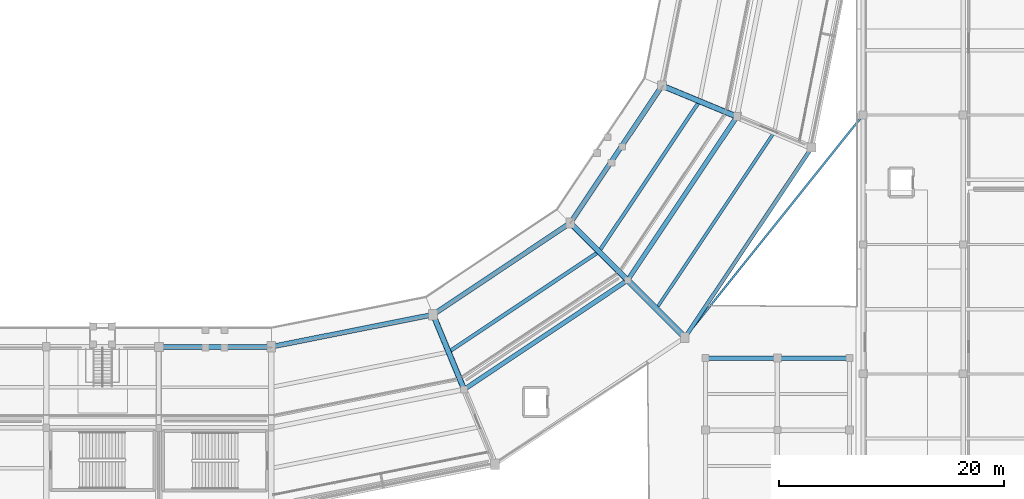
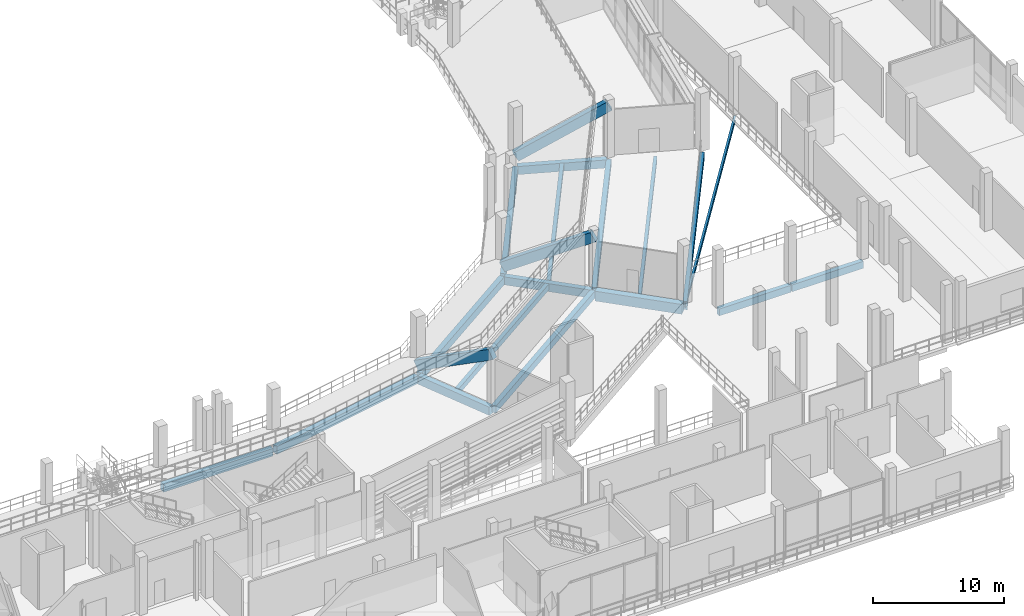
# One storey, part 37 of 127: 20 beams.
"""IFC4 building model written with IfcOpenShell, lengths in metres."""

from ifc_helpers import new_model, si_unit, direction, frame, origin, origin_2d, place, context, subcontext, project, spatial, rectangle, i_section, extrude, material, material_profile, profile_set, type_object, element, save


model = new_model("IFC4")

# Units and contexts
model_context = context("Model", 3, precision=1e-05, world=origin(), true_north=direction((0.0, 1.0)))
body_context = subcontext(model_context, "Body", "Model", "MODEL_VIEW")
ifc_project = project(units=[si_unit("LENGTHUNIT", "METRE"), si_unit("AREAUNIT", "SQUARE_METRE"), si_unit("VOLUMEUNIT", "CUBIC_METRE"), si_unit("PLANEANGLEUNIT", "RADIAN"), si_unit("MASSUNIT", "GRAM", prefix="KILO")], contexts=[model_context])

# Site, building, storey
site_placement = place(None, origin())
site = spatial("IfcSite", under=ifc_project, at=site_placement, CompositionType="ELEMENT")
building_placement = place(site_placement, origin())
building = spatial("IfcBuilding", under=site, at=building_placement, Name="Candeia Ridge Stadium", CompositionType="ELEMENT")
storey_placement = place(building_placement, frame((0.0, 0.0, 10.800048828125)))
storey = spatial("IfcBuildingStorey", under=building, at=storey_placement, Name="L02", CompositionType="ELEMENT", Elevation=10.800048828125)

# Beams
ifc_material_1 = material(Name="Concrete C45/55", Category="concrete")
ifc_material_profile_1 = material_profile(ifc_material_1, rectangle(XDim=0.449951171875, YDim=0.75, at=origin_2d()), Name="RC450x750", Category="concrete")
ifc_profile_set_1 = profile_set([ifc_material_profile_1], Name="Concrete C45/55")
beam_type_1 = type_object("IfcBeamType", Name="Bowl Radial Girder RC450x750", PredefinedType="BEAM", material=ifc_profile_set_1)
beam_1_placement = place(storey_placement, frame((167.700439453125, 44.299560546875, -0.635009765625), z_axis=(0.707106781187, -0.707106781187, 0.0), x_axis=(0.707106781187, 0.707106781187, 0.0)))
element("IfcBeam", 1, at=beam_1_placement, inside=storey, type_object=beam_type_1, Name="Bowl radial girder BM-L02-0295", PredefinedType="BEAM", context=body_context, shape_type="SweptSolid", body=[
    extrude(rectangle(XDim=0.449951171875, YDim=0.75, at=origin_2d()), origin(), (0.0, 0.0, 1.0), 6.8798828125),
])
ifc_material_profile_2 = material_profile(ifc_material_1, rectangle(XDim=0.5, YDim=0.89990234375, at=origin_2d()), Name="RC500x900", Category="concrete")
ifc_profile_set_2 = profile_set([ifc_material_profile_2], Name="Concrete C45/55")
beam_type_2 = type_object("IfcBeamType", Name="Club Stand Raker Beam RC500x900", PredefinedType="USERDEFINED", material=ifc_profile_set_2)
for number, where, z_axis, x_axis, name in (
    (2, (155.388916015625, 36.26220703125, 0.624267578125), (0.332646014247, -0.80308399346, 0.494371043502), (0.923880454805, 0.382681205745, 0.0), "Stand T2 inclined concrete raker beam 27"),
    (3, (167.587158203125, 44.412841796875, 0.624267578125), (0.614653767795, -0.614653767795, 0.494369792233), (0.707106781187, 0.707106781187, 0.0), "Stand T2 inclined concrete raker beam 28"),
    (4, (175.73779296875, 56.611083984375, 0.624267578125), (0.80308399346, -0.332646014247, 0.494371043502), (0.382681205745, 0.923880454805, 0.0), "Stand T2 inclined concrete raker beam 29"),
):
    element("IfcBeam", number, at=place(storey_placement, frame(where, z_axis=z_axis, x_axis=x_axis)), inside=storey, type_object=beam_type_2, Name=name, ObjectType="RAKER", PredefinedType="USERDEFINED", context=body_context, shape_type="SweptSolid", body=[
        extrude(rectangle(XDim=0.5, YDim=0.89990234375, at=origin_2d()), origin(), (0.0, 0.0, 1.0), 8.283203125),
    ])
ifc_material_2 = material(Name="Concrete C40/50", Category="concrete")
ifc_material_profile_3 = material_profile(ifc_material_2, rectangle(XDim=0.280029296875, YDim=0.4599609375, at=origin_2d()), Name="RC280x460", Category="concrete")
ifc_profile_set_3 = profile_set([ifc_material_profile_3], Name="Concrete C40/50")
beam_type_3 = type_object("IfcBeamType", Name="Floor Joist RC280x460", PredefinedType="JOIST", material=ifc_profile_set_3)
beam_2_placement = place(storey_placement, frame((175.347412109375, 36.960693359375, -0.489990234375), z_axis=(0.555573683674, 0.831467306639, 0.0), x_axis=(-0.831467306639, 0.555573683674, 0.0)))
element("IfcBeam", 5, at=beam_2_placement, inside=storey, type_object=beam_type_3, Name="Concourse secondary joist BM-L02-0441", PredefinedType="JOIST", context=body_context, shape_type="SweptSolid", body=[
    extrude(rectangle(XDim=0.280029296875, YDim=0.4599609375, at=origin_2d()), origin(), (0.0, 0.0, 1.0), 18.440673828125),
])
ifc_material_profile_4 = material_profile(ifc_material_2, rectangle(XDim=0.320068359375, YDim=0.52001953125, at=origin_2d()), Name="RC320x520", Category="concrete")
ifc_profile_set_4 = profile_set([ifc_material_profile_4], Name="Concrete C40/50")
beam_type_4 = type_object("IfcBeamType", Name="Floor Joist RC320x520", PredefinedType="JOIST", material=ifc_profile_set_4)
beam_3_placement = place(storey_placement, frame((170.256103515625, 42.0517578125, -0.52001953125), z_axis=(0.555568527312, 0.831470752017, 0.0), x_axis=(-0.831470752017, 0.555568527312, 0.0)))
element("IfcBeam", 6, at=beam_3_placement, inside=storey, type_object=beam_type_4, Name="Concourse secondary joist BM-L02-0440", PredefinedType="JOIST", context=body_context, shape_type="SweptSolid", body=[
    extrude(rectangle(XDim=0.320068359375, YDim=0.52001953125, at=origin_2d()), origin(), (0.0, 0.0, 1.0), 15.63134765625),
])
ifc_material_profile_5 = material_profile(ifc_material_2, rectangle(XDim=0.340087890625, YDim=0.5400390625, at=origin_2d()), Name="RC340x540", Category="concrete")
ifc_profile_set_5 = profile_set([ifc_material_profile_5], Name="Concrete C40/50")
beam_type_5 = type_object("IfcBeamType", Name="Floor Joist RC340x540", PredefinedType="JOIST", material=ifc_profile_set_5)
beam_4_placement = place(storey_placement, frame((156.951171875, 33.0595703125, -0.530029296875), z_axis=(0.831470752017, 0.555568527312, 0.0), x_axis=(-0.555568527312, 0.831470752017, 0.0)))
element("IfcBeam", 7, at=beam_4_placement, inside=storey, type_object=beam_type_5, Name="Concourse secondary joist BM-L02-0436", PredefinedType="JOIST", context=body_context, shape_type="SweptSolid", body=[
    extrude(rectangle(XDim=0.340087890625, YDim=0.5400390625, at=origin_2d()), origin(), (0.0, 0.0, 1.0), 15.63134765625),
])
ifc_material_profile_6 = material_profile(ifc_material_2, rectangle(XDim=0.409912109375, YDim=0.659912109375, at=origin_2d()), Name="RC410x660", Category="concrete")
ifc_profile_set_6 = profile_set([ifc_material_profile_6], Name="Concrete C40/50")
beam_type_6 = type_object("IfcBeamType", Name="Frame Girder RC410x660", PredefinedType="BEAM", material=ifc_profile_set_6)
for number, where, z_axis, x_axis, name in (
    (8, (158.27734375, 29.698974609375, -0.590087890625), (0.831467614091, 0.555573223542, 0.0), (-0.555573223542, 0.831467614091, 0.0), "Concourse spine girder BM-L02-0434"),
    (9, (172.767333984375, 39.45458984375, -0.590087890625), (0.555573223542, 0.831467614091, 0.0), (-0.831467614091, 0.555573223542, 0.0), "Concourse spine girder BM-L02-0438"),
):
    element("IfcBeam", number, at=place(storey_placement, frame(where, z_axis=z_axis, x_axis=x_axis)), inside=storey, type_object=beam_type_6, Name=name, PredefinedType="BEAM", context=body_context, shape_type="SweptSolid", body=[
        extrude(rectangle(XDim=0.409912109375, YDim=0.659912109375, at=origin_2d()), origin(), (0.0, 0.0, 1.0), 17.16015625),
    ])
ifc_material_profile_7 = material_profile(ifc_material_2, rectangle(XDim=0.43994140625, YDim=0.719970703125, at=origin_2d()), Name="RC440x720", Category="concrete")
ifc_profile_set_7 = profile_set([ifc_material_profile_7], Name="Concrete C40/50")
beam_type_7 = type_object("IfcBeamType", Name="Frame Girder RC440x720", PredefinedType="BEAM", material=ifc_profile_set_7)
beam_5_placement = place(storey_placement, frame((131.159912109375, 33.39990234375, -0.6201171875), z_axis=(1.0, 0.0, 0.0), x_axis=(0.0, 1.0, 0.0)))
element("IfcBeam", 10, at=beam_5_placement, inside=storey, type_object=beam_type_7, Name="Bowl inner ring girder BM-L02-0424", PredefinedType="BEAM", context=body_context, shape_type="SweptSolid", body=[
    extrude(rectangle(XDim=0.43994140625, YDim=0.719970703125, at=origin_2d()), origin(), (0.0, 0.0, 1.0), 9.68017578125),
])
for number, where, z_axis, x_axis, name in (
    (11, (141.156982421875, 33.43115234375, -0.6201171875), (0.980783642657, 0.195098555341, 0.0), (-0.195098555341, 0.980783642657, 0.0), "Bowl inner ring girder BM-L02-0428"),
    (12, (155.52197265625, 36.35107421875, -0.6201171875), (0.831466176057, 0.55557537569, 0.0), (-0.55557537569, 0.831466176057, 0.0), "Bowl inner ring girder BM-L02-0433"),
    (13, (167.676025390625, 44.5458984375, -0.6201171875), (0.55557537569, 0.831466176057, 0.0), (-0.831466176057, 0.55557537569, 0.0), "Bowl inner ring girder BM-L02-0437"),
):
    element("IfcBeam", number, at=place(storey_placement, frame(where, z_axis=z_axis, x_axis=x_axis)), inside=storey, type_object=beam_type_7, Name=name, PredefinedType="BEAM", context=body_context, shape_type="SweptSolid", body=[
        extrude(rectangle(XDim=0.43994140625, YDim=0.719970703125, at=origin_2d()), origin(), (0.0, 0.0, 1.0), 14.350830078125),
    ])
ifc_material_profile_8 = material_profile(ifc_material_2, rectangle(XDim=0.4599609375, YDim=0.780029296875, at=origin_2d()), Name="RC460x780", Category="concrete")
ifc_profile_set_8 = profile_set([ifc_material_profile_8], Name="Concrete C40/50")
beam_type_8 = type_object("IfcBeamType", Name="Frame Girder RC460x780", PredefinedType="BEAM", material=ifc_profile_set_8)
beam_6_placement = place(storey_placement, frame((155.4501953125, 36.1142578125, -0.650146484375), z_axis=(0.382681914982, -0.923880161031, 0.0), x_axis=(0.923880161031, 0.382681914982, 0.0)))
element("IfcBeam", 14, at=beam_6_placement, inside=storey, type_object=beam_type_8, Name="Bowl radial girder BM-L02-0293", PredefinedType="BEAM", context=body_context, shape_type="SweptSolid", body=[
    extrude(rectangle(XDim=0.4599609375, YDim=0.780029296875, at=origin_2d()), origin(), (0.0, 0.0, 1.0), 6.8798828125),
])
ifc_material_profile_9 = material_profile(ifc_material_2, rectangle(XDim=0.469970703125, YDim=0.760009765625, at=origin_2d()), Name="RC470x760", Category="concrete")
ifc_profile_set_9 = profile_set([ifc_material_profile_9], Name="Concrete C40/50")
beam_type_9 = type_object("IfcBeamType", Name="Frame Girder RC470x760", PredefinedType="BEAM", material=ifc_profile_set_9)
beam_7_placement = place(storey_placement, frame((175.8857421875, 56.5498046875, -0.64013671875), z_axis=(0.923880161031, -0.382681914982, 0.0), x_axis=(0.382681914982, 0.923880161031, 0.0)))
element("IfcBeam", 15, at=beam_7_placement, inside=storey, type_object=beam_type_9, Name="Bowl radial girder BM-L02-0297", PredefinedType="BEAM", context=body_context, shape_type="SweptSolid", body=[
    extrude(rectangle(XDim=0.469970703125, YDim=0.760009765625, at=origin_2d()), origin(), (0.0, 0.0, 1.0), 6.8798828125),
])
ifc_material_profile_10 = material_profile(ifc_material_1, rectangle(XDim=0.550048828125, YDim=0.919921875, at=origin_2d()), Name="RC550x920", Category="concrete")
ifc_profile_set_10 = profile_set([ifc_material_profile_10], Name="Concrete C45/55")
beam_type_10 = type_object("IfcBeamType", Name="Frame Girder RC550x920", PredefinedType="BEAM", material=ifc_profile_set_10)
beam_8_placement = place(storey_placement, frame((172.79150390625, 39.20849609375, -0.719970703125), z_axis=(0.707106781187, -0.707106781187, 0.0), x_axis=(0.707106781187, 0.707106781187, 0.0)))
element("IfcBeam", 16, at=beam_8_placement, inside=storey, type_object=beam_type_10, Name="Bowl radial girder BM-L02-0296", PredefinedType="BEAM", context=body_context, shape_type="SweptSolid", body=[
    extrude(rectangle(XDim=0.550048828125, YDim=0.919921875, at=origin_2d()), origin(), (0.0, 0.0, 1.0), 6.880126953125),
])
ifc_material_profile_11 = material_profile(ifc_material_1, rectangle(XDim=0.35009765625, YDim=0.75, at=origin_2d()), Name="RC350x750", Category="concrete")
ifc_profile_set_11 = profile_set([ifc_material_profile_11], Name="Concrete C45/55")
beam_type_11 = type_object("IfcBeamType", Name="Spandrel Beam RC350x750", PredefinedType="SPANDREL", material=ifc_profile_set_11)
beam_9_placement = place(storey_placement, frame((177.8583984375, 34.363525390625, -0.635009765625), z_axis=(0.555571676938, 0.831468647505, 0.0), x_axis=(-0.831468647505, 0.555571676938, 0.0)))
element("IfcBeam", 17, at=beam_9_placement, inside=storey, type_object=beam_type_11, Name="Bowl perimeter spandrel BM-L02-0439", PredefinedType="SPANDREL", context=body_context, shape_type="SweptSolid", body=[
    extrude(rectangle(XDim=0.35009765625, YDim=0.75, at=origin_2d()), origin(), (0.0, 0.0, 1.0), 19.969482421875),
])
ifc_material_3 = material(Name="Steel ASTM A572 Grade 50", Category="steel")
ifc_material_profile_12 = material_profile(ifc_material_3, i_section(OverallWidth=0.178955078125, OverallDepth=0.409912109375, WebThickness=0.0087890625, FlangeThickness=0.014404296875, FilletRadius=0.011962890625, at=origin_2d()), Name="W410x67", Category="steel")
ifc_profile_set_12 = profile_set([ifc_material_profile_12], Name="Steel ASTM A572 Grade 50")
beam_type_12 = type_object("IfcBeamType", Name="Warm-Up Hall Girder W410x67", PredefinedType="BEAM", material=ifc_profile_set_12)
beam_10_placement = place(storey_placement, frame((193.56884765625, 53.9609375, -0.4951171875), z_axis=(-0.625056131229, -0.780579805537, 0.0), x_axis=(0.780579805537, -0.625056131229, 0.0)))
element("IfcBeam", 18, at=beam_10_placement, inside=storey, type_object=beam_type_12, Name="Wing-to-bowl tie girder BM-L02-2551", PredefinedType="BEAM", context=body_context, shape_type="SweptSolid", body=[
    extrude(i_section(OverallWidth=0.178955078125, OverallDepth=0.409912109375, WebThickness=0.0087890625, FlangeThickness=0.014404296875, FilletRadius=0.011962890625, at=origin_2d()), origin(), (0.0, 0.0, 1.0), 25.2265625),
])
ifc_material_profile_13 = material_profile(ifc_material_2, rectangle(XDim=0.39990234375, YDim=0.64990234375, at=origin_2d()), Name="RC400x650", Category="concrete")
ifc_profile_set_13 = profile_set([ifc_material_profile_13], Name="Concrete C40/50")
beam_type_13 = type_object("IfcBeamType", Name="Wing Primary Girder RC400x650", PredefinedType="BEAM", material=ifc_profile_set_13)
for number, where, z_axis, x_axis, name in (
    (19, (179.64990234375, 32.39990234375, -0.5849609375), (1.0, 0.0, 0.0), (0.0, 1.0, 0.0), "Structural girder BM-L02-2256"),
    (20, (186.050048828125, 32.39990234375, -0.5849609375), (1.0, 0.0, 0.0), (0.0, 1.0, 0.0), "Structural girder BM-L02-2261"),
):
    element("IfcBeam", number, at=place(storey_placement, frame(where, z_axis=z_axis, x_axis=x_axis)), inside=storey, type_object=beam_type_13, Name=name, PredefinedType="BEAM", context=body_context, shape_type="SweptSolid", body=[
        extrude(rectangle(XDim=0.39990234375, YDim=0.64990234375, at=origin_2d()), origin(), (0.0, 0.0, 1.0), 6.300048828125),
    ])

save(model, "model.ifc")
